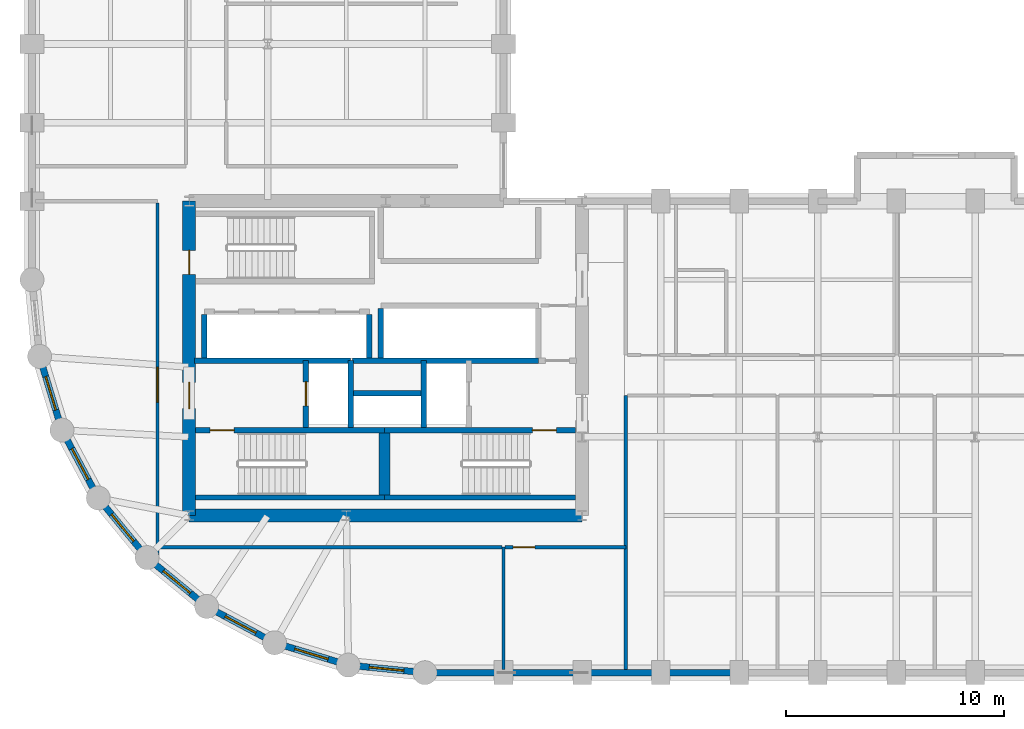
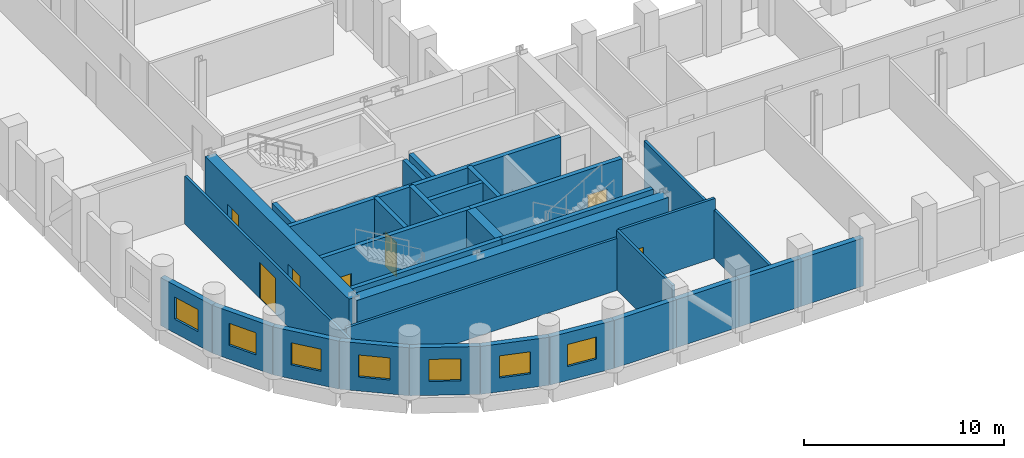
# One storey, part 3 of 8: 32 walls, 7 doors, 7 windows, 14 openings.
"""IFC4 building model written with IfcOpenShell, lengths in metres."""

from ifc_helpers import new_model, si_unit, direction, frame, frame_2d, origin, place, context, subcontext, project, spatial, rectangle, extrude, material, layer, layer_set, type_object, element, fill, save


model = new_model("IFC4")

# Units and contexts
model_context = context("Model", 3, precision=1e-05, world=origin(), true_north=direction((0.0, 1.0)))
body_context = subcontext(model_context, "Body", "Model", "MODEL_VIEW")
ifc_project = project(units=[si_unit("LENGTHUNIT", "METRE"), si_unit("AREAUNIT", "SQUARE_METRE"), si_unit("VOLUMEUNIT", "CUBIC_METRE"), si_unit("PLANEANGLEUNIT", "RADIAN"), si_unit("MASSUNIT", "GRAM", prefix="KILO")], contexts=[model_context])

# Site, building, storey
site_placement = place(None, origin())
site = spatial("IfcSite", under=ifc_project, at=site_placement, CompositionType="ELEMENT")
building_placement = place(site_placement, origin())
building = spatial("IfcBuilding", under=site, at=building_placement, Name="Solnavia Interchange Tower", CompositionType="ELEMENT")
storey_placement = place(building_placement, frame((0.0, 0.0, 107.39990234375)))
storey = spatial("IfcBuildingStorey", under=building, at=storey_placement, Name="L26", CompositionType="ELEMENT", Elevation=107.39990234375)

# Walls
ifc_material_1 = material(Name="Concrete C40/50", Category="concrete")
ifc_layer_1 = layer(ifc_material_1, 0.300048828125)
ifc_layer_set_1 = layer_set([ifc_layer_1], Name="Concrete C40/50")
wall_type_1 = type_object("IfcWallType", Name="Wall-ExtSpandrel-300", PredefinedType="STANDARD", material=ifc_layer_set_1)
wall_1_placement = place(storey_placement, frame((28.800048828125, 3.60009765625, 0.0), z_axis=(0.0, 0.0, 1.0), x_axis=(-1.0, 0.0, 0.0)))
element("IfcWall", 1, at=wall_1_placement, inside=storey, type_object=wall_type_1, Name="EXW-L26-01 Exterior precast spandrel wall", PredefinedType="STANDARD", context=body_context, shape_type="SweptSolid", body=[
    extrude(rectangle(XDim=3.60009765625, YDim=0.300048828125, at=frame_2d((1.800048828125, 0.0))), origin(), (0.0, 0.0, 1.0), 2.93017578125),
])
wall_2_placement = place(storey_placement, frame((32.39990234375, 3.60009765625, 0.0), z_axis=(0.0, 0.0, 1.0), x_axis=(-1.0, 0.0, 0.0)))
element("IfcWall", 2, at=wall_2_placement, inside=storey, type_object=wall_type_1, Name="EXW-L26-02 Exterior precast spandrel wall", PredefinedType="STANDARD", context=body_context, shape_type="SweptSolid", body=[
    extrude(rectangle(XDim=3.599853515625, YDim=0.300048828125, at=frame_2d((1.7998046875, 0.0))), origin(), (0.0, 0.0, 1.0), 2.93017578125),
])
for number, where, z_axis, x_axis, name in (
    (3, (36.0, 3.60009765625, 0.0), (0.0, 0.0, 1.0), (-1.0, 0.0, 0.0), "EXW-L26-03 Exterior precast spandrel wall"),
    (4, (39.60009765625, 3.60009765625, 0.0), (0.0, 0.0, 1.0), (-1.0, 0.0, 0.0), "EXW-L26-04 Exterior precast spandrel wall"),
):
    element("IfcWall", number, at=place(storey_placement, frame(where, z_axis=z_axis, x_axis=x_axis)), inside=storey, type_object=wall_type_1, Name=name, PredefinedType="STANDARD", context=body_context, shape_type="SweptSolid", body=[
        extrude(rectangle(XDim=3.60009765625, YDim=0.300048828125, at=frame_2d((1.800048828125, 0.0))), origin(), (0.0, 0.0, 1.0), 2.93017578125),
    ])

# Wall, opening, window
wall_3_placement = place(storey_placement, frame((8.570068359375, 14.7119140625, 0.0), z_axis=(0.0, 0.0, 1.0), x_axis=(-0.290305086481, 0.956934144423, 0.0)))
wall_3 = element("IfcWall", 5, at=wall_3_placement, inside=storey, type_object=wall_type_1, Name="EXW-L26-56 Exterior precast spandrel wall", PredefinedType="STANDARD", context=body_context, shape_type="SweptSolid", body=[
    extrude(rectangle(XDim=3.52783203125, YDim=0.300048828125, at=frame_2d((1.763916015625, 0.0))), origin(), (0.0, 0.0, 1.0), 2.93017578125),
])
opening_1_placement = place(wall_3_placement, frame((0.964111328125, 0.0, 0.85009765625)))
opening_1 = element("IfcOpeningElement", 6, at=opening_1_placement, cuts=wall_3, Name="Opening WIN-04", PredefinedType="OPENING", context=body_context, shape_type="SweptSolid", body=[
    extrude(rectangle(XDim=1.60009765625, YDim=1.35009765625, at=frame_2d((0.800048828125, 0.675048828125))), frame((0.0, 0.16015625, 0.0), z_axis=(0.0, -1.0, 0.0), x_axis=(1.0, 0.0, 0.0)), (0.0, 0.0, 1.0), 0.320068359375),
])
ifc_material_2 = material(Name="Thermal-Break Aluminium & Low-E Glass", Category="aluminium")
window_type = type_object("IfcWindowType", Name="Window-Drum-1600x1350", PartitioningType="SINGLE_PANEL", PredefinedType="WINDOW", material=ifc_material_2)
window_1_placement = place(opening_1_placement, origin())
window_1 = element("IfcWindow", 7, at=window_1_placement, inside=storey, type_object=window_type, Name="WIN-L26-56 Facade ribbon window", OverallHeight=1.35009765625, OverallWidth=1.60009765625, PartitioningType="SINGLE_PANEL", PredefinedType="WINDOW", context=body_context, shape_type="SweptSolid", body=[
    extrude(rectangle(XDim=1.60009765625, YDim=1.35009765625, at=frame_2d((0.800048828125, 0.675048828125))), frame((0.0, 0.030029296875, 0.0), z_axis=(0.0, -1.0, 0.0), x_axis=(1.0, 0.0, 0.0)), (0.0, 0.0, 1.0), 0.06005859375),
])
fill(opening_1, window_1)

wall_4_placement = place(storey_placement, frame((10.23388671875, 11.60009765625, 0.0), z_axis=(0.0, 0.0, 1.0), x_axis=(-0.47151087309, 0.881860247748, 0.0)))
wall_4 = element("IfcWall", 8, at=wall_4_placement, inside=storey, type_object=wall_type_1, Name="EXW-L26-57 Exterior precast spandrel wall", PredefinedType="STANDARD", context=body_context, shape_type="SweptSolid", body=[
    extrude(rectangle(XDim=3.52880859375, YDim=0.300048828125, at=frame_2d((1.764404296875, 0.0))), origin(), (0.0, 0.0, 1.0), 2.93017578125),
])
opening_2_placement = place(wall_4_placement, frame((0.964111328125, 0.0, 0.85009765625)))
opening_2 = element("IfcOpeningElement", 9, at=opening_2_placement, cuts=wall_4, Name="Opening WIN-04", PredefinedType="OPENING", context=body_context, shape_type="SweptSolid", body=[
    extrude(rectangle(XDim=1.60009765625, YDim=1.35009765625, at=frame_2d((0.800048828125, 0.675048828125))), frame((0.0, 0.16015625, 0.0), z_axis=(0.0, -1.0, 0.0), x_axis=(1.0, 0.0, 0.0)), (0.0, 0.0, 1.0), 0.320068359375),
])
window_2_placement = place(opening_2_placement, origin())
window_2 = element("IfcWindow", 10, at=window_2_placement, inside=storey, type_object=window_type, Name="WIN-L26-57 Facade ribbon window", OverallHeight=1.35009765625, OverallWidth=1.60009765625, PartitioningType="SINGLE_PANEL", PredefinedType="WINDOW", context=body_context, shape_type="SweptSolid", body=[
    extrude(rectangle(XDim=1.60009765625, YDim=1.35009765625, at=frame_2d((0.800048828125, 0.675048828125))), frame((0.0, 0.030029296875, 0.0), z_axis=(0.0, -1.0, 0.0), x_axis=(1.0, 0.0, 0.0)), (0.0, 0.0, 1.0), 0.06005859375),
])
fill(opening_2, window_2)

wall_5_placement = place(storey_placement, frame((12.471923828125, 8.8720703125, 0.0), z_axis=(0.0, 0.0, 1.0), x_axis=(-0.634258295121, 0.773121216285, 0.0)))
wall_5 = element("IfcWall", 11, at=wall_5_placement, inside=storey, type_object=wall_type_1, Name="EXW-L26-58 Exterior precast spandrel wall", PredefinedType="STANDARD", context=body_context, shape_type="SweptSolid", body=[
    extrude(rectangle(XDim=3.528564453125, YDim=0.300048828125, at=frame_2d((1.76416015625, 0.0))), origin(), (0.0, 0.0, 1.0), 2.93017578125),
])
opening_3_placement = place(wall_5_placement, frame((0.964111328125, 0.0, 0.85009765625)))
opening_3 = element("IfcOpeningElement", 12, at=opening_3_placement, cuts=wall_5, Name="Opening WIN-04", PredefinedType="OPENING", context=body_context, shape_type="SweptSolid", body=[
    extrude(rectangle(XDim=1.60009765625, YDim=1.35009765625, at=frame_2d((0.800048828125, 0.675048828125))), frame((0.0, 0.16015625, 0.0), z_axis=(0.0, -1.0, 0.0), x_axis=(1.0, 0.0, 0.0)), (0.0, 0.0, 1.0), 0.320068359375),
])
window_3_placement = place(opening_3_placement, origin())
window_3 = element("IfcWindow", 13, at=window_3_placement, inside=storey, type_object=window_type, Name="WIN-L26-58 Facade ribbon window", OverallHeight=1.35009765625, OverallWidth=1.60009765625, PartitioningType="SINGLE_PANEL", PredefinedType="WINDOW", context=body_context, shape_type="SweptSolid", body=[
    extrude(rectangle(XDim=1.60009765625, YDim=1.35009765625, at=frame_2d((0.800048828125, 0.675048828125))), frame((0.0, 0.030029296875, 0.0), z_axis=(0.0, -1.0, 0.0), x_axis=(1.0, 0.0, 0.0)), (0.0, 0.0, 1.0), 0.06005859375),
])
fill(opening_3, window_3)

wall_6_placement = place(storey_placement, frame((15.199951171875, 6.634033203125, 0.0), z_axis=(0.0, 0.0, 1.0), x_axis=(-0.773121216285, 0.634258295121, 0.0)))
wall_6 = element("IfcWall", 14, at=wall_6_placement, inside=storey, type_object=wall_type_1, Name="EXW-L26-59 Exterior precast spandrel wall", PredefinedType="STANDARD", context=body_context, shape_type="SweptSolid", body=[
    extrude(rectangle(XDim=3.528564453125, YDim=0.300048828125, at=frame_2d((1.76416015625, 0.0))), origin(), (0.0, 0.0, 1.0), 2.93017578125),
])
opening_4_placement = place(wall_6_placement, frame((0.964111328125, 0.0, 0.85009765625)))
opening_4 = element("IfcOpeningElement", 15, at=opening_4_placement, cuts=wall_6, Name="Opening WIN-04", PredefinedType="OPENING", context=body_context, shape_type="SweptSolid", body=[
    extrude(rectangle(XDim=1.60009765625, YDim=1.35009765625, at=frame_2d((0.800048828125, 0.675048828125))), frame((0.0, 0.16015625, 0.0), z_axis=(0.0, -1.0, 0.0), x_axis=(1.0, 0.0, 0.0)), (0.0, 0.0, 1.0), 0.320068359375),
])
window_4_placement = place(opening_4_placement, origin())
window_4 = element("IfcWindow", 16, at=window_4_placement, inside=storey, type_object=window_type, Name="WIN-L26-59 Facade ribbon window", OverallHeight=1.35009765625, OverallWidth=1.60009765625, PartitioningType="SINGLE_PANEL", PredefinedType="WINDOW", context=body_context, shape_type="SweptSolid", body=[
    extrude(rectangle(XDim=1.60009765625, YDim=1.35009765625, at=frame_2d((0.800048828125, 0.675048828125))), frame((0.0, 0.030029296875, 0.0), z_axis=(0.0, -1.0, 0.0), x_axis=(1.0, 0.0, 0.0)), (0.0, 0.0, 1.0), 0.06005859375),
])
fill(opening_4, window_4)

wall_7_placement = place(storey_placement, frame((18.31201171875, 4.969970703125, 0.0), z_axis=(0.0, 0.0, 1.0), x_axis=(-0.881846862014, 0.471535907389, 0.0)))
wall_7 = element("IfcWall", 17, at=wall_7_placement, inside=storey, type_object=wall_type_1, Name="EXW-L26-60 Exterior precast spandrel wall", PredefinedType="STANDARD", context=body_context, shape_type="SweptSolid", body=[
    extrude(rectangle(XDim=3.529052734375, YDim=0.300048828125, at=frame_2d((1.7646484375, 0.0))), origin(), (0.0, 0.0, 1.0), 2.93017578125),
])
opening_5_placement = place(wall_7_placement, frame((0.964111328125, 0.0, 0.85009765625)))
opening_5 = element("IfcOpeningElement", 18, at=opening_5_placement, cuts=wall_7, Name="Opening WIN-04", PredefinedType="OPENING", context=body_context, shape_type="SweptSolid", body=[
    extrude(rectangle(XDim=1.60009765625, YDim=1.35009765625, at=frame_2d((0.800048828125, 0.675048828125))), frame((0.0, 0.16015625, 0.0), z_axis=(0.0, -1.0, 0.0), x_axis=(1.0, 0.0, 0.0)), (0.0, 0.0, 1.0), 0.320068359375),
])
window_5_placement = place(opening_5_placement, origin())
window_5 = element("IfcWindow", 19, at=window_5_placement, inside=storey, type_object=window_type, Name="WIN-L26-60 Facade ribbon window", OverallHeight=1.35009765625, OverallWidth=1.60009765625, PartitioningType="SINGLE_PANEL", PredefinedType="WINDOW", context=body_context, shape_type="SweptSolid", body=[
    extrude(rectangle(XDim=1.60009765625, YDim=1.35009765625, at=frame_2d((0.800048828125, 0.675048828125))), frame((0.0, 0.030029296875, 0.0), z_axis=(0.0, -1.0, 0.0), x_axis=(1.0, 0.0, 0.0)), (0.0, 0.0, 1.0), 0.06005859375),
])
fill(opening_5, window_5)

wall_8_placement = place(storey_placement, frame((21.68798828125, 3.946044921875, 0.0), z_axis=(0.0, 0.0, 1.0), x_axis=(-0.956953367403, 0.290241714123, 0.0)))
wall_8 = element("IfcWall", 20, at=wall_8_placement, inside=storey, type_object=wall_type_1, Name="EXW-L26-61 Exterior precast spandrel wall", PredefinedType="STANDARD", context=body_context, shape_type="SweptSolid", body=[
    extrude(rectangle(XDim=3.52783203125, YDim=0.300048828125, at=frame_2d((1.763916015625, 0.0))), origin(), (0.0, 0.0, 1.0), 2.93017578125),
])
opening_6_placement = place(wall_8_placement, frame((0.964111328125, 0.0, 0.85009765625)))
opening_6 = element("IfcOpeningElement", 21, at=opening_6_placement, cuts=wall_8, Name="Opening WIN-04", PredefinedType="OPENING", context=body_context, shape_type="SweptSolid", body=[
    extrude(rectangle(XDim=1.60009765625, YDim=1.35009765625, at=frame_2d((0.800048828125, 0.675048828125))), frame((0.0, 0.16015625, 0.0), z_axis=(0.0, -1.0, 0.0), x_axis=(1.0, 0.0, 0.0)), (0.0, 0.0, 1.0), 0.320068359375),
])
window_6_placement = place(opening_6_placement, origin())
window_6 = element("IfcWindow", 22, at=window_6_placement, inside=storey, type_object=window_type, Name="WIN-L26-61 Facade ribbon window", OverallHeight=1.35009765625, OverallWidth=1.60009765625, PartitioningType="SINGLE_PANEL", PredefinedType="WINDOW", context=body_context, shape_type="SweptSolid", body=[
    extrude(rectangle(XDim=1.60009765625, YDim=1.35009765625, at=frame_2d((0.800048828125, 0.675048828125))), frame((0.0, 0.030029296875, 0.0), z_axis=(0.0, -1.0, 0.0), x_axis=(1.0, 0.0, 0.0)), (0.0, 0.0, 1.0), 0.06005859375),
])
fill(opening_6, window_6)

wall_9_placement = place(storey_placement, frame((25.199951171875, 3.60009765625, 0.0), z_axis=(0.0, 0.0, 1.0), x_axis=(-0.995183369056, 0.098030923459, 0.0)))
wall_9 = element("IfcWall", 23, at=wall_9_placement, inside=storey, type_object=wall_type_1, Name="EXW-L26-62 Exterior precast spandrel wall", PredefinedType="STANDARD", context=body_context, shape_type="SweptSolid", body=[
    extrude(rectangle(XDim=3.529052734375, YDim=0.300048828125, at=frame_2d((1.7646484375, 0.0))), origin(), (0.0, 0.0, 1.0), 2.93017578125),
])
opening_7_placement = place(wall_9_placement, frame((0.965087890625, 0.0, 0.85009765625)))
opening_7 = element("IfcOpeningElement", 24, at=opening_7_placement, cuts=wall_9, Name="Opening WIN-04", PredefinedType="OPENING", context=body_context, shape_type="SweptSolid", body=[
    extrude(rectangle(XDim=1.60009765625, YDim=1.35009765625, at=frame_2d((0.800048828125, 0.675048828125))), frame((0.0, 0.16015625, 0.0), z_axis=(0.0, -1.0, 0.0), x_axis=(1.0, 0.0, 0.0)), (0.0, 0.0, 1.0), 0.320068359375),
])
window_7_placement = place(opening_7_placement, origin())
window_7 = element("IfcWindow", 25, at=window_7_placement, inside=storey, type_object=window_type, Name="WIN-L26-62 Facade ribbon window", OverallHeight=1.35009765625, OverallWidth=1.60009765625, PartitioningType="SINGLE_PANEL", PredefinedType="WINDOW", context=body_context, shape_type="SweptSolid", body=[
    extrude(rectangle(XDim=1.60009765625, YDim=1.35009765625, at=frame_2d((0.800048828125, 0.675048828125))), frame((0.0, 0.030029296875, 0.0), z_axis=(0.0, -1.0, 0.0), x_axis=(1.0, 0.0, 0.0)), (0.0, 0.0, 1.0), 0.06005859375),
])
fill(opening_7, window_7)

# Wall
ifc_material_3 = material(Name="Gypsum Plasterboard & Steel Stud", Category="steel")
ifc_layer_2 = layer(ifc_material_3, 0.14990234375)
ifc_layer_set_2 = layer_set([ifc_layer_2], Name="Gypsum Plasterboard & Steel Stud")
wall_type_2 = type_object("IfcWallType", Name="Wall-Partition-150", PredefinedType="PARTITIONING", material=ifc_layer_set_2)
wall_10_placement = place(storey_placement, frame((28.800048828125, 9.35009765625, 0.0), z_axis=(0.0, 0.0, 1.0), x_axis=(0.0, -1.0, 0.0)))
element("IfcWall", 26, at=wall_10_placement, inside=storey, type_object=wall_type_2, Name="PTW-L26-08 Interior partition wall", PredefinedType="PARTITIONING", context=body_context, shape_type="SweptSolid", body=[
    extrude(rectangle(XDim=5.59619140625, YDim=0.14990234375, at=frame_2d((2.798095703125, 0.0))), origin(), (0.0, 0.0, 1.0), 3.635009765625),
])

# Wall, opening, door
wall_11_placement = place(storey_placement, frame((12.949951171875, 8.6337890625, 0.0), z_axis=(0.0, 0.0, 1.0), x_axis=(0.0, 1.0, 0.0)))
wall_11 = element("IfcWall", 27, at=wall_11_placement, inside=storey, type_object=wall_type_2, Name="PTW-L26-09 Interior partition wall", PredefinedType="PARTITIONING", context=body_context, shape_type="SweptSolid", body=[
    extrude(rectangle(XDim=16.4873046875, YDim=0.14990234375, at=frame_2d((8.24365234375, 0.0))), origin(), (0.0, 0.0, 1.0), 2.93017578125),
])
opening_8_placement = place(wall_11_placement, frame((7.365966796875, 0.0, 0.0)))
opening_8 = element("IfcOpeningElement", 28, at=opening_8_placement, cuts=wall_11, Name="Opening DR-08", PredefinedType="OPENING", context=body_context, shape_type="SweptSolid", body=[
    extrude(rectangle(XDim=1.60009765625, YDim=2.199951171875, at=frame_2d((0.800048828125, 1.10009765625))), frame((0.0, 0.0849609375, 0.0), z_axis=(0.0, -1.0, 0.0), x_axis=(1.0, 0.0, 0.0)), (0.0, 0.0, 1.0), 0.169921875),
])
ifc_material_4 = material(Name="Thermally Broken Aluminium & Toughened Glass", Category="aluminium")
door_type_1 = type_object("IfcDoorType", Name="Door-RetailDouble-1600x2200", OperationType="DOUBLE_DOOR_SINGLE_SWING", PredefinedType="DOOR", material=ifc_material_4)
door_1_placement = place(opening_8_placement, origin())
door_1 = element("IfcDoor", 29, at=door_1_placement, inside=storey, type_object=door_type_1, Name="DR-L26-03 Interior room door", OperationType="DOUBLE_DOOR_SINGLE_SWING", OverallHeight=2.199951171875, OverallWidth=1.60009765625, PredefinedType="DOOR", context=body_context, shape_type="SweptSolid", body=[
    extrude(rectangle(XDim=1.60009765625, YDim=2.199951171875, at=frame_2d((0.800048828125, 1.10009765625))), frame((0.0, 0.02490234375, 0.0), z_axis=(0.0, -1.0, 0.0), x_axis=(1.0, 0.0, 0.0)), (0.0, 0.0, 1.0), 0.050048828125),
])
fill(opening_8, door_1)

# Wall
wall_12_placement = place(storey_placement, frame((13.080078125, 9.35009765625, 0.0), z_axis=(0.0, 0.0, 1.0), x_axis=(1.0, 0.0, 0.0)))
element("IfcWall", 30, at=wall_12_placement, inside=storey, type_object=wall_type_2, Name="PTW-L26-10 Interior partition wall", PredefinedType="PARTITIONING", context=body_context, shape_type="SweptSolid", body=[
    extrude(rectangle(XDim=15.640869140625, YDim=0.14990234375, at=frame_2d((7.8203125, 0.0))), origin(), (0.0, 0.0, 1.0), 3.18017578125),
])

# Wall, opening, door
wall_13_placement = place(storey_placement, frame((28.87890625, 9.35009765625, 0.0), z_axis=(0.0, 0.0, 1.0), x_axis=(1.0, 0.0, 0.0)))
wall_13 = element("IfcWall", 31, at=wall_13_placement, inside=storey, type_object=wall_type_2, Name="PTW-L26-11 Interior partition wall", PredefinedType="PARTITIONING", context=body_context, shape_type="SweptSolid", body=[
    extrude(rectangle(XDim=5.52099609375, YDim=0.14990234375, at=frame_2d((2.760498046875, 0.0))), origin(), (0.0, 0.0, 1.0), 3.635009765625),
])
opening_9_placement = place(wall_13_placement, frame((0.360107421875, 0.0, 0.0)))
opening_9 = element("IfcOpeningElement", 32, at=opening_9_placement, cuts=wall_13, Name="Opening DR-07", PredefinedType="OPENING", context=body_context, shape_type="SweptSolid", body=[
    extrude(rectangle(XDim=1.0, YDim=2.10009765625, at=frame_2d((0.5, 1.050048828125))), frame((0.0, 0.0849609375, 0.0), z_axis=(0.0, -1.0, 0.0), x_axis=(1.0, 0.0, 0.0)), (0.0, 0.0, 1.0), 0.169921875),
])
ifc_material_5 = material(Name="Timber & Acoustic Glazed Office Door", Category="wood")
door_type_2 = type_object("IfcDoorType", Name="Door-Office-1000x2100", OperationType="SINGLE_SWING_RIGHT", PredefinedType="DOOR", material=ifc_material_5)
door_2_placement = place(opening_9_placement, origin())
door_2 = element("IfcDoor", 33, at=door_2_placement, inside=storey, type_object=door_type_2, Name="DR-L26-04 Interior room door", OperationType="SINGLE_SWING_LEFT", OverallHeight=2.10009765625, OverallWidth=1.0, PredefinedType="DOOR", context=body_context, shape_type="SweptSolid", body=[
    extrude(rectangle(XDim=1.0, YDim=2.10009765625, at=frame_2d((0.5, 1.050048828125))), frame((0.0, 0.02490234375, 0.0), z_axis=(0.0, -1.0, 0.0), x_axis=(1.0, 0.0, 0.0)), (0.0, 0.0, 1.0), 0.050048828125),
])
fill(opening_9, door_2)

# Walls
wall_14_placement = place(storey_placement, frame((34.39990234375, 3.75390625, 0.0), z_axis=(0.0, 0.0, 1.0), x_axis=(0.0, 1.0, 0.0)))
element("IfcWall", 34, at=wall_14_placement, inside=storey, type_object=wall_type_2, Name="PTW-L26-12 Interior partition wall", PredefinedType="PARTITIONING", context=body_context, shape_type="SweptSolid", body=[
    extrude(rectangle(XDim=12.546142578125, YDim=0.14990234375, at=frame_2d((6.27294921875, 0.0))), origin(), (0.0, 0.0, 1.0), 2.93017578125),
])
ifc_layer_3 = layer(ifc_material_1, 0.25)
ifc_layer_set_3 = layer_set([ifc_layer_3], Name="Concrete C40/50")
wall_type_3 = type_object("IfcWallType", Name="Wall-ShaftCore-250", PredefinedType="SHEAR", material=ifc_layer_set_3)
wall_15_placement = place(storey_placement, frame((14.699951171875, 11.625, 0.0), z_axis=(0.0, 0.0, 1.0), x_axis=(1.0, 0.0, 0.0)))
element("IfcWall", 35, at=wall_15_placement, inside=storey, type_object=wall_type_3, Name="SHW-L26-ST1S Core shear wall", PredefinedType="SHEAR", context=body_context, shape_type="SweptSolid", body=[
    extrude(rectangle(XDim=8.650146484375, YDim=0.25, at=frame_2d((4.3251953125, 0.0))), origin(), (0.0, 0.0, 1.0), 3.650146484375),
])

# Wall, opening, door
wall_16_placement = place(storey_placement, frame((14.699951171875, 14.715087890625, 0.0), z_axis=(0.0, 0.0, 1.0), x_axis=(1.0, 0.0, 0.0)))
wall_16 = element("IfcWall", 36, at=wall_16_placement, inside=storey, type_object=wall_type_3, Name="SHW-L26-ST1N Core shear wall", PredefinedType="SHEAR", context=body_context, shape_type="SweptSolid", body=[
    extrude(rectangle(XDim=8.650146484375, YDim=0.25, at=frame_2d((4.3251953125, 0.0))), origin(), (0.0, 0.0, 1.0), 3.650146484375),
])
opening_10_placement = place(wall_16_placement, frame((0.655029296875, 0.0, 0.0)))
opening_10 = element("IfcOpeningElement", 37, at=opening_10_placement, cuts=wall_16, Name="Opening DR-01", PredefinedType="OPENING", context=body_context, shape_type="SweptSolid", body=[
    extrude(rectangle(XDim=1.10009765625, YDim=2.10009765625, at=frame_2d((0.550048828125, 1.050048828125))), frame((0.0, 0.135009765625, 0.0), z_axis=(0.0, -1.0, 0.0), x_axis=(1.0, 0.0, 0.0)), (0.0, 0.0, 1.0), 0.27001953125),
])
ifc_material_6 = material(Name="Steel Fire-Rated Leaf & Frame", Category="steel")
door_type_3 = type_object("IfcDoorType", Name="Door-StairFire-1100x2100", OperationType="SINGLE_SWING_LEFT", PredefinedType="DOOR", material=ifc_material_6)
door_3_placement = place(opening_10_placement, origin())
door_3 = element("IfcDoor", 38, at=door_3_placement, inside=storey, type_object=door_type_3, Name="DR-L26-ST1 Core fire door", OperationType="SINGLE_SWING_LEFT", OverallHeight=2.10009765625, OverallWidth=1.10009765625, PredefinedType="DOOR", context=body_context, shape_type="SweptSolid", body=[
    extrude(rectangle(XDim=1.10009765625, YDim=2.10009765625, at=frame_2d((0.550048828125, 1.050048828125))), frame((0.0, 0.02490234375, 0.0), z_axis=(0.0, -1.0, 0.0), x_axis=(1.0, 0.0, 0.0)), (0.0, 0.0, 1.0), 0.050048828125),
])
fill(opening_10, door_3)

# Wall
wall_17_placement = place(storey_placement, frame((23.35009765625, 11.625, 0.0), z_axis=(0.0, 0.0, 1.0), x_axis=(1.0, 0.0, 0.0)))
element("IfcWall", 39, at=wall_17_placement, inside=storey, type_object=wall_type_3, Name="SHW-L26-ST2S Core shear wall", PredefinedType="SHEAR", context=body_context, shape_type="SweptSolid", body=[
    extrude(rectangle(XDim=8.75, YDim=0.25, at=frame_2d((4.375, 0.0))), origin(), (0.0, 0.0, 1.0), 3.650146484375),
])

# Wall, opening, door
wall_18_placement = place(storey_placement, frame((23.35009765625, 14.715087890625, 0.0), z_axis=(0.0, 0.0, 1.0), x_axis=(1.0, 0.0, 0.0)))
wall_18 = element("IfcWall", 40, at=wall_18_placement, inside=storey, type_object=wall_type_3, Name="SHW-L26-ST2N Core shear wall", PredefinedType="SHEAR", context=body_context, shape_type="SweptSolid", body=[
    extrude(rectangle(XDim=8.75, YDim=0.25, at=frame_2d((4.375, 0.0))), origin(), (0.0, 0.0, 1.0), 3.650146484375),
])
opening_11_placement = place(wall_18_placement, frame((6.77490234375, 0.0, 0.0)))
opening_11 = element("IfcOpeningElement", 41, at=opening_11_placement, cuts=wall_18, Name="Opening DR-01", PredefinedType="OPENING", context=body_context, shape_type="SweptSolid", body=[
    extrude(rectangle(XDim=1.10009765625, YDim=2.10009765625, at=frame_2d((0.550048828125, 1.050048828125))), frame((0.0, 0.135009765625, 0.0), z_axis=(0.0, -1.0, 0.0), x_axis=(1.0, 0.0, 0.0)), (0.0, 0.0, 1.0), 0.27001953125),
])
door_4_placement = place(opening_11_placement, origin())
door_4 = element("IfcDoor", 42, at=door_4_placement, inside=storey, type_object=door_type_3, Name="DR-L26-ST2 Core fire door", OperationType="SINGLE_SWING_LEFT", OverallHeight=2.10009765625, OverallWidth=1.10009765625, PredefinedType="DOOR", context=body_context, shape_type="SweptSolid", body=[
    extrude(rectangle(XDim=1.10009765625, YDim=2.10009765625, at=frame_2d((0.550048828125, 1.050048828125))), frame((0.0, 0.02490234375, 0.0), z_axis=(0.0, -1.0, 0.0), x_axis=(1.0, 0.0, 0.0)), (0.0, 0.0, 1.0), 0.050048828125),
])
fill(opening_11, door_4)

# Wall
ifc_layer_4 = layer(ifc_material_1, 0.25)
ifc_layer_set_4 = layer_set([ifc_layer_4], Name="Concrete C40/50")
wall_type_4 = type_object("IfcWallType", Name="Wall-ShaftPart-250", PredefinedType="PARTITIONING", material=ifc_layer_set_4)
wall_19_placement = place(storey_placement, frame((14.64990234375, 17.89990234375, 0.0), z_axis=(0.0, 0.0, 1.0), x_axis=(1.0, 0.0, 0.0)))
element("IfcWall", 43, at=wall_19_placement, inside=storey, type_object=wall_type_4, Name="SHW-L26-FFLW-N Core shaft wall", PredefinedType="PARTITIONING", context=body_context, shape_type="SweptSolid", body=[
    extrude(rectangle(XDim=7.150146484375, YDim=0.25, at=frame_2d((3.5751953125, 0.0))), origin(), (0.0, 0.0, 1.0), 3.635009765625),
])

# Wall, opening, door
wall_20_placement = place(storey_placement, frame((19.75, 14.840087890625, 0.0), z_axis=(0.0, 0.0, 1.0), x_axis=(0.0, 1.0, 0.0)))
wall_20 = element("IfcWall", 44, at=wall_20_placement, inside=storey, type_object=wall_type_4, Name="SHW-L26-FFL1-W Core shaft wall", PredefinedType="PARTITIONING", context=body_context, shape_type="SweptSolid", body=[
    extrude(rectangle(XDim=3.059814453125, YDim=0.25, at=frame_2d((1.52978515625, 0.0))), origin(), (0.0, 0.0, 1.0), 3.635009765625),
])
opening_12_placement = place(wall_20_placement, frame((0.97998046875, 0.0, 0.0)))
opening_12 = element("IfcOpeningElement", 45, at=opening_12_placement, cuts=wall_20, Name="Opening LD-01", PredefinedType="OPENING", context=body_context, shape_type="SweptSolid", body=[
    extrude(rectangle(XDim=1.10009765625, YDim=2.10009765625, at=frame_2d((0.550048828125, 1.050048828125))), frame((0.0, 0.135009765625, 0.0), z_axis=(0.0, -1.0, 0.0), x_axis=(1.0, 0.0, 0.0)), (0.0, 0.0, 1.0), 0.27001953125),
])
ifc_material_7 = material(Name="Brushed Stainless Steel Sliding Door", Category="steel")
door_type_4 = type_object("IfcDoorType", Name="Door-LiftLanding-1100x2100", OperationType="SLIDING_TO_LEFT", PredefinedType="DOOR", material=ifc_material_7)
door_5_placement = place(opening_12_placement, origin())
door_5 = element("IfcDoor", 46, at=door_5_placement, inside=storey, type_object=door_type_4, Name="LD-L26-FFL1 Lift landing sliding door", OperationType="SLIDING_TO_LEFT", OverallHeight=2.10009765625, OverallWidth=1.10009765625, PredefinedType="DOOR", context=body_context, shape_type="SweptSolid", body=[
    extrude(rectangle(XDim=1.10009765625, YDim=2.10009765625, at=frame_2d((0.550048828125, 1.050048828125))), frame((0.0, 0.02490234375, 0.0), z_axis=(0.0, -1.0, 0.0), x_axis=(1.0, 0.0, 0.0)), (0.0, 0.0, 1.0), 0.050048828125),
])
fill(opening_12, door_5)

# Walls
wall_21_placement = place(storey_placement, frame((21.800048828125, 14.840087890625, 0.0), z_axis=(0.0, 0.0, 1.0), x_axis=(0.0, 1.0, 0.0)))
element("IfcWall", 47, at=wall_21_placement, inside=storey, type_object=wall_type_4, Name="SHW-L26-FFL1-E Core shaft wall", PredefinedType="PARTITIONING", context=body_context, shape_type="SweptSolid", body=[
    extrude(rectangle(XDim=3.059814453125, YDim=0.25, at=frame_2d((1.52978515625, 0.0))), origin(), (0.0, 0.0, 1.0), 3.635009765625),
])
wall_22_placement = place(storey_placement, frame((21.8798828125, 17.89990234375, 0.0), z_axis=(0.0, 0.0, 1.0), x_axis=(1.0, 0.0, 0.0)))
element("IfcWall", 48, at=wall_22_placement, inside=storey, type_object=wall_type_4, Name="SHW-L26-FFLE-N1 Core shaft wall", PredefinedType="PARTITIONING", context=body_context, shape_type="SweptSolid", body=[
    extrude(rectangle(XDim=8.52001953125, YDim=0.25, at=frame_2d((4.260009765625, 0.0))), origin(), (0.0, 0.0, 1.0), 3.635009765625),
])
wall_23_placement = place(storey_placement, frame((25.14990234375, 14.840087890625, 0.0), z_axis=(0.0, 0.0, 1.0), x_axis=(0.0, 1.0, 0.0)))
element("IfcWall", 49, at=wall_23_placement, inside=storey, type_object=wall_type_4, Name="SHW-L26-FFL2-W Core shaft wall", PredefinedType="PARTITIONING", context=body_context, shape_type="SweptSolid", body=[
    extrude(rectangle(XDim=3.059814453125, YDim=0.25, at=frame_2d((1.52978515625, 0.0))), origin(), (0.0, 0.0, 1.0), 3.635009765625),
])
wall_24_placement = place(storey_placement, frame((21.800048828125, 16.39990234375, 0.0), z_axis=(0.0, 0.0, 1.0), x_axis=(1.0, 0.0, 0.0)))
element("IfcWall", 50, at=wall_24_placement, inside=storey, type_object=wall_type_4, Name="SHW-L26-MEP-N Core shaft wall", PredefinedType="PARTITIONING", context=body_context, shape_type="SweptSolid", body=[
    extrude(rectangle(XDim=3.349853515625, YDim=0.25, at=frame_2d((1.6748046875, 0.0))), origin(), (0.0, 0.0, 1.0), 3.635009765625),
])
for number, where, z_axis, x_axis, name in (
    (51, (15.10009765625, 18.02490234375, 0.0), (0.0, 0.0, 1.0), (0.0, 1.0, 0.0), "SHW-L26-B1W Core shaft wall"),
    (52, (22.64990234375, 18.02490234375, 0.0), (0.0, 0.0, 1.0), (0.0, 1.0, 0.0), "SHW-L26-B1E Core shaft wall"),
):
    element("IfcWall", number, at=place(storey_placement, frame(where, z_axis=z_axis, x_axis=x_axis)), inside=storey, type_object=wall_type_4, Name=name, PredefinedType="PARTITIONING", context=body_context, shape_type="SweptSolid", body=[
        extrude(rectangle(XDim=1.97509765625, YDim=0.25, at=frame_2d((0.987548828125, 0.0))), origin(), (0.0, 0.0, 1.0), 3.635009765625),
    ])
wall_25_placement = place(storey_placement, frame((23.179931640625, 18.02490234375, 0.0), z_axis=(0.0, 0.0, 1.0), x_axis=(0.0, 1.0, 0.0)))
element("IfcWall", 53, at=wall_25_placement, inside=storey, type_object=wall_type_4, Name="SHW-L26-B2W Core shaft wall", PredefinedType="PARTITIONING", context=body_context, shape_type="SweptSolid", body=[
    extrude(rectangle(XDim=2.27001953125, YDim=0.25, at=frame_2d((1.135009765625, 0.0))), origin(), (0.0, 0.0, 1.0), 3.635009765625),
])
ifc_material_8 = material(Name="Concrete C60/75", Category="concrete")
ifc_layer_5 = layer(ifc_material_8, 0.5)
ifc_layer_set_5 = layer_set([ifc_layer_5], Name="Concrete C60/75")
wall_type_5 = type_object("IfcWallType", Name="Wall-ShearCore-500", PredefinedType="SHEAR", material=ifc_layer_set_5)
wall_26_placement = place(storey_placement, frame((23.35009765625, 11.75, 0.0), z_axis=(0.0, 0.0, 1.0), x_axis=(0.0, 1.0, 0.0)))
element("IfcWall", 54, at=wall_26_placement, inside=storey, type_object=wall_type_5, Name="SHW-L26-ST12M Core shear wall", PredefinedType="SHEAR", context=body_context, shape_type="SweptSolid", body=[
    extrude(rectangle(XDim=2.840087890625, YDim=0.5, at=frame_2d((1.419921875, 0.0))), origin(), (0.0, 0.0, 1.0), 3.650146484375),
])
ifc_layer_6 = layer(ifc_material_8, 0.60009765625)
ifc_layer_set_6 = layer_set([ifc_layer_6], Name="Concrete C60/75")
wall_type_6 = type_object("IfcWallType", Name="Wall-ShearCore-600", PredefinedType="SHEAR", material=ifc_layer_set_6)
wall_27_placement = place(storey_placement, frame((14.39990234375, 10.800048828125, 0.0), z_axis=(0.0, 0.0, 1.0), x_axis=(1.0, 0.0, 0.0)))
element("IfcWall", 55, at=wall_27_placement, inside=storey, type_object=wall_type_6, Name="CRW-L26-S Core shear wall", PredefinedType="SHEAR", context=body_context, shape_type="SweptSolid", body=[
    extrude(rectangle(XDim=18.0, YDim=0.60009765625, at=frame_2d((9.0, 0.0))), origin(), (0.0, 0.0, 1.0), 3.650146484375),
])

# Wall, openings, doors
wall_28_placement = place(storey_placement, frame((14.39990234375, 10.800048828125, 0.0), z_axis=(0.0, 0.0, 1.0), x_axis=(0.0, 1.0, 0.0)))
wall_28 = element("IfcWall", 56, at=wall_28_placement, inside=storey, type_object=wall_type_6, Name="CRW-L26-W Core shear wall", PredefinedType="SHEAR", context=body_context, shape_type="SweptSolid", body=[
    extrude(rectangle(XDim=14.39990234375, YDim=0.60009765625, at=frame_2d((7.199951171875, 0.0))), origin(), (0.0, 0.0, 1.0), 3.650146484375),
])
opening_13_placement = place(wall_28_placement, frame((11.050048828125, 0.0, 0.0)))
opening_13 = element("IfcOpeningElement", 57, at=opening_13_placement, cuts=wall_28, Name="Opening DR-01", PredefinedType="OPENING", context=body_context, shape_type="SweptSolid", body=[
    extrude(rectangle(XDim=1.10009765625, YDim=2.10009765625, at=frame_2d((0.550048828125, 1.050048828125))), frame((0.0, 0.31005859375, 0.0), z_axis=(0.0, -1.0, 0.0), x_axis=(1.0, 0.0, 0.0)), (0.0, 0.0, 1.0), 0.6201171875),
])
opening_14_placement = place(wall_28_placement, frame((4.89990234375, 0.0, 0.0)))
opening_14 = element("IfcOpeningElement", 58, at=opening_14_placement, cuts=wall_28, Name="Opening DR-02", PredefinedType="OPENING", context=body_context, shape_type="SweptSolid", body=[
    extrude(rectangle(XDim=1.199951171875, YDim=2.10009765625, at=frame_2d((0.60009765625, 1.050048828125))), frame((0.0, 0.31005859375, 0.0), z_axis=(0.0, -1.0, 0.0), x_axis=(1.0, 0.0, 0.0)), (0.0, 0.0, 1.0), 0.6201171875),
])
ifc_material_9 = material(Name="Steel Fire-Rated Vision-Panel Door", Category="steel")
door_type_5 = type_object("IfcDoorType", Name="Door-LobbyFire-1200x2100", OperationType="SINGLE_SWING_RIGHT", PredefinedType="DOOR", material=ifc_material_9)
door_6_placement = place(opening_14_placement, origin())
door_6 = element("IfcDoor", 59, at=door_6_placement, inside=storey, type_object=door_type_5, Name="DR-L26-FFL1W Core fire door", OperationType="SINGLE_SWING_RIGHT", OverallHeight=2.10009765625, OverallWidth=1.199951171875, PredefinedType="DOOR", context=body_context, shape_type="SweptSolid", body=[
    extrude(rectangle(XDim=1.199951171875, YDim=2.10009765625, at=frame_2d((0.60009765625, 1.050048828125))), frame((0.0, 0.02490234375, 0.0), z_axis=(0.0, -1.0, 0.0), x_axis=(1.0, 0.0, 0.0)), (0.0, 0.0, 1.0), 0.050048828125),
])
fill(opening_14, door_6)
door_7_placement = place(opening_13_placement, origin())
door_7 = element("IfcDoor", 60, at=door_7_placement, inside=storey, type_object=door_type_3, Name="DR-L26-ST3 Core fire door", OperationType="SINGLE_SWING_RIGHT", OverallHeight=2.10009765625, OverallWidth=1.10009765625, PredefinedType="DOOR", context=body_context, shape_type="SweptSolid", body=[
    extrude(rectangle(XDim=1.10009765625, YDim=2.10009765625, at=frame_2d((0.550048828125, 1.050048828125))), frame((0.0, 0.02490234375, 0.0), z_axis=(0.0, -1.0, 0.0), x_axis=(1.0, 0.0, 0.0)), (0.0, 0.0, 1.0), 0.050048828125),
])
fill(opening_13, door_7)

save(model, "model.ifc")
